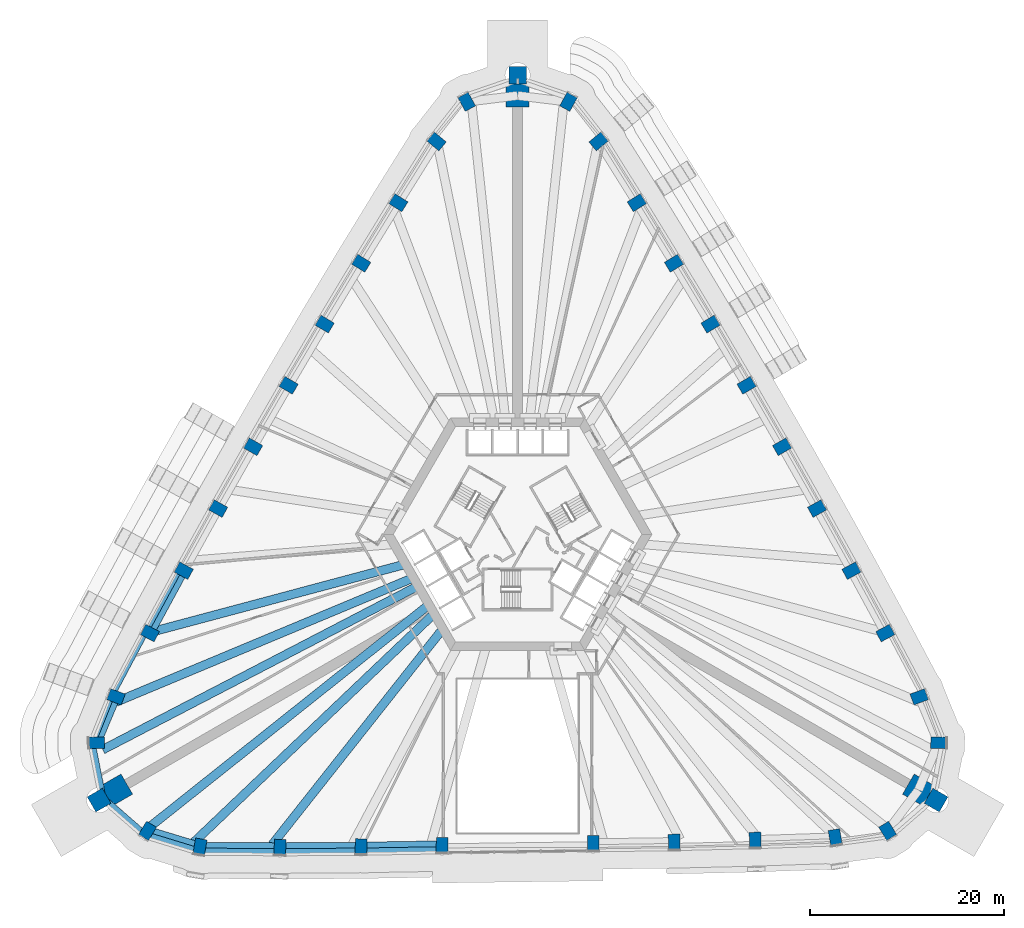
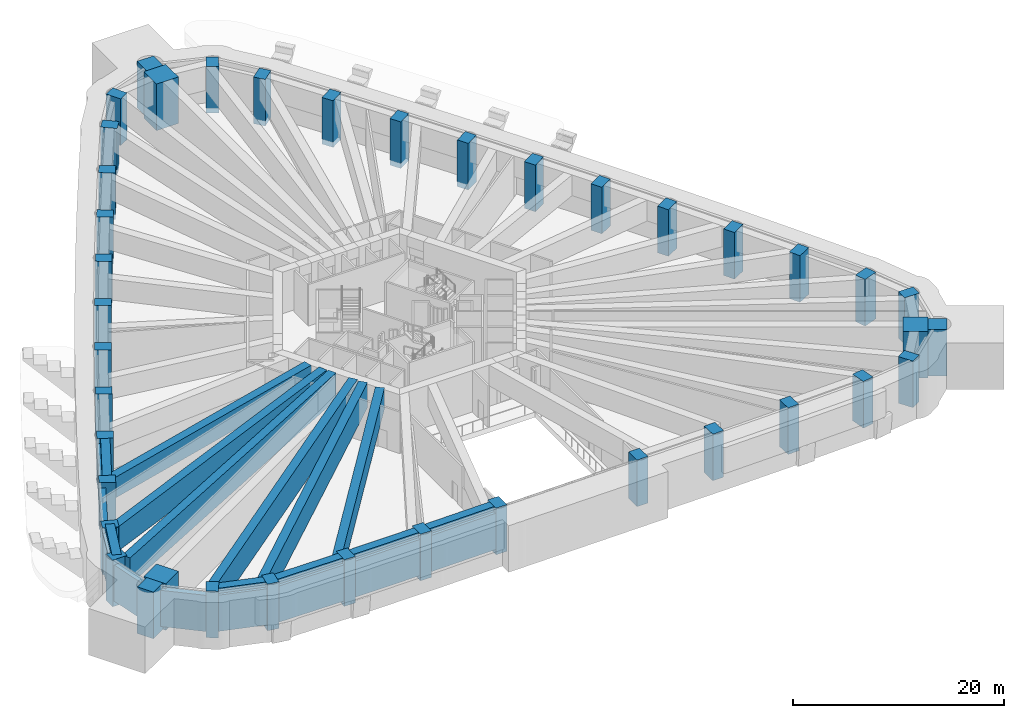
# One storey, part 1 of 21: 40 columns, 12 beams, 9 members.
"""IFC4 building model written with IfcOpenShell, lengths in metres."""

from ifc_helpers import new_model, si_unit, direction, frame, origin, origin_2d, place, context, subcontext, project, spatial, rectangle, extrude, material, material_profile, profile_set, type_object, element, save


model = new_model("IFC4")

# Units and contexts
model_context = context("Model", 3, precision=1e-05, world=origin(), true_north=direction((0.0, 1.0)))
body_context = subcontext(model_context, "Body", "Model", "MODEL_VIEW")
ifc_project = project(units=[si_unit("LENGTHUNIT", "METRE"), si_unit("AREAUNIT", "SQUARE_METRE"), si_unit("VOLUMEUNIT", "CUBIC_METRE"), si_unit("PLANEANGLEUNIT", "RADIAN"), si_unit("MASSUNIT", "GRAM", prefix="KILO")], contexts=[model_context])

# Site, building, storey
site_placement = place(None, origin())
site = spatial("IfcSite", under=ifc_project, at=site_placement, CompositionType="ELEMENT")
building_placement = place(site_placement, origin())
building = spatial("IfcBuilding", under=site, at=building_placement, Name="Entoto Arch Interchange Tower", CompositionType="ELEMENT")
storey_placement = place(building_placement, frame((0.0, 0.0, 81.199951171875)))
storey = spatial("IfcBuildingStorey", under=building, at=storey_placement, Name="L17", CompositionType="ELEMENT", Elevation=81.199951171875)

# Columns
ifc_material_1 = material(Name="Concrete C60/75", Category="concrete")
ifc_material_profile_1 = material_profile(ifc_material_1, rectangle(XDim=1.199951171875, YDim=1.60009765625, at=origin_2d()))
ifc_profile_set_1 = profile_set([ifc_material_profile_1], Name="Concrete C60/75")
column_type_1 = type_object("IfcColumnType", Name="Column RC 1200x1600 C60/75", PredefinedType="COLUMN", material=ifc_profile_set_1)
for number, where, z_axis, x_axis, name in (
    (1, (-32.760986328125, -29.72802734375, -0.599853515625), (0.0, 0.0, 1.0), (-0.98600476771, 0.166717119856, 0.0), "Column S01 L17"),
    (2, (-24.510009765625, -29.780029296875, -0.599853515625), (0.0, 0.0, 1.0), (-0.999434480961, 0.033626154508, 0.0), "Column S02 L17"),
    (3, (-16.14990234375, -29.718994140625, -0.599853515625), (0.0, 0.0, 1.0), (-0.99975435134, 0.022163866481, 0.0), "Column S03 L17"),
    (4, (-7.79296875, -29.572998046875, -0.599853515625), (0.0, 0.0, 1.0), (-0.999966355195, 0.008202955488, 0.0), "Column S04 L17"),
    (5, (7.79296875, -29.363037109375, -0.599853515625), (0.0, 0.0, 1.0), (0.999966355195, 0.008202955488, 0.0), "Column S05 L17"),
    (6, (16.14990234375, -29.242919921875, -0.599853515625), (0.0, 0.0, 1.0), (0.99975435134, 0.022163866481, 0.0), "Column S06 L17"),
    (7, (24.510009765625, -29.0380859375, -0.599853515625), (0.0, 0.0, 1.0), (0.999434480961, 0.033626154508, 0.0), "Column S07 L17"),
    (8, (32.760986328125, -28.760009765625, -0.599853515625), (0.0, 0.0, 1.0), (0.98600476771, 0.166717119856, 0.0), "Column S08 L17"),
    (9, (38.177001953125, -28.09912109375, -0.599853515625), (0.0, 0.0, 1.0), (0.854522294989, 0.519414716163, 0.0), "Column SE1 L17"),
    (10, (43.422119140625, -19.013916015625, -0.599853515625), (0.0, 0.0, 1.0), (0.022565191802, 0.999745373642, 0.0), "Column SE3 L17"),
    (11, (41.43505859375, -14.27294921875, -0.599853515625), (0.0, 0.0, 1.0), (-0.348277574304, 0.937391450375, 0.0), "Column NE01 L17"),
    (12, (37.93408203125, -7.697021484375, -0.599853515625), (0.0, 0.0, 1.0), (-0.46931745221, 0.883029517656, 0.0), "Column NE02 L17"),
    (13, (34.44189453125, -1.258056640625, -0.599853515625), (0.0, 0.0, 1.0), (-0.478140110514, 0.878283573066, 0.0), "Column NE03 L17"),
    (14, (30.89208984375, 5.14794921875, -0.599853515625), (0.0, 0.0, 1.0), (-0.486914781103, 0.873449481048, 0.0), "Column NE04 L17"),
    (15, (27.284912109375, 11.52392578125, -0.599853515625), (0.0, 0.0, 1.0), (-0.495655741916, 0.868519076074, 0.0), "Column NE05 L17"),
    (16, (23.623046875, 17.866943359375, -0.599853515625), (0.0, 0.0, 1.0), (-0.504331712594, 0.863510002068, 0.0), "Column NE06 L17"),
    (17, (19.904052734375, 24.178955078125, -0.599853515625), (0.0, 0.0, 1.0), (-0.512972048958, 0.858405310438, 0.0), "Column NE07 L17"),
    (18, (16.1298828125, 30.45703125, -0.599853515625), (0.0, 0.0, 1.0), (-0.521545830745, 0.853223268806, 0.0), "Column NE08 L17"),
    (19, (12.301025390625, 36.701904296875, -0.599853515625), (0.0, 0.0, 1.0), (-0.530067268476, 0.847955594881, 0.0), "Column NE09 L17"),
    (20, (8.35693359375, 43.02001953125, -0.599853515625), (0.0, 0.0, 1.0), (-0.637666022163, 0.770312952103, 0.0), "Column NE10 L17"),
    (21, (5.24609375, 47.112060546875, -0.599853515625), (0.0, 0.0, 1.0), (-0.877079103306, 0.48034596547, 0.0), "Column N1 L17"),
    (22, (-5.24609375, 47.112060546875, -0.599853515625), (0.0, 0.0, 1.0), (0.877079103306, 0.48034596547, 0.0), "Column N3 L17"),
    (23, (-8.35693359375, 43.02001953125, -0.599853515625), (0.0, 0.0, 1.0), (0.637666022163, 0.770312952103, 0.0), "Column NW01 L17"),
    (24, (-12.301025390625, 36.701904296875, -0.599853515625), (0.0, 0.0, 1.0), (0.530067268476, 0.847955594881, 0.0), "Column NW02 L17"),
    (25, (-16.1298828125, 30.45703125, -0.599853515625), (0.0, 0.0, 1.0), (0.521545830745, 0.853223268806, 0.0), "Column NW03 L17"),
    (26, (-19.904052734375, 24.178955078125, -0.599853515625), (0.0, 0.0, 1.0), (0.512972048958, 0.858405310438, 0.0), "Column NW04 L17"),
    (27, (-23.623046875, 17.866943359375, -0.599853515625), (0.0, 0.0, 1.0), (0.504331712594, 0.863510002068, 0.0), "Column NW05 L17"),
    (28, (-27.284912109375, 11.52392578125, -0.599853515625), (0.0, 0.0, 1.0), (0.495655741916, 0.868519076074, 0.0), "Column NW06 L17"),
    (29, (-30.89208984375, 5.14794921875, -0.599853515625), (0.0, 0.0, 1.0), (0.486914781103, 0.873449481048, 0.0), "Column NW07 L17"),
    (30, (-34.44189453125, -1.258056640625, -0.599853515625), (0.0, 0.0, 1.0), (0.478140110514, 0.878283573066, 0.0), "Column NW08 L17"),
    (31, (-37.93408203125, -7.697021484375, -0.599853515625), (0.0, 0.0, 1.0), (0.46931745221, 0.883029517656, 0.0), "Column NW09 L17"),
    (32, (-41.43505859375, -14.27294921875, -0.599853515625), (0.0, 0.0, 1.0), (0.348277574304, 0.937391450375, 0.0), "Column NW10 L17"),
    (33, (-43.422119140625, -19.013916015625, -0.599853515625), (0.0, 0.0, 1.0), (-0.022565191802, 0.999745373642, 0.0), "Column SW1 L17"),
    (34, (-38.177001953125, -28.09912109375, -0.599853515625), (0.0, 0.0, 1.0), (-0.854522294989, 0.519414716163, 0.0), "Column SW3 L17"),
):
    element("IfcColumn", number, at=place(storey_placement, frame(where, z_axis=z_axis, x_axis=x_axis)), inside=storey, type_object=column_type_1, Name=name, PredefinedType="COLUMN", context=body_context, shape_type="SweptSolid", body=[
        extrude(rectangle(XDim=1.199951171875, YDim=1.60009765625, at=origin_2d()), origin(), (0.0, 0.0, 1.0), 5.39990234375),
    ])
ifc_material_2 = material(Name="Precast concrete C40/50", Category="concrete")
ifc_material_profile_2 = material_profile(ifc_material_2, rectangle(XDim=1.800048828125, YDim=1.800048828125, at=origin_2d()))
ifc_profile_set_2 = profile_set([ifc_material_profile_2], Name="Precast concrete C40/50")
column_type_2 = type_object("IfcColumnType", Name="Frame post RC 1800x1800 precast C40/50", PredefinedType="COLUMN", material=ifc_profile_set_2)
for number, where, z_axis, x_axis, name in (
    (35, (43.173095703125, -24.926025390625, -0.599853515625), (0.0, 0.0, 1.0), (-0.866025403784, 0.5, 0.0), "Frame post SE L17"),
    (36, (0.0, 49.85205078125, -0.599853515625), (0.0, 0.0, 1.0), (0.0, 1.0, 0.0), "Frame post N L17"),
    (37, (-43.173095703125, -24.926025390625, -0.599853515625), (0.0, 0.0, 1.0), (0.866025403784, 0.5, 0.0), "Frame post SW L17"),
):
    element("IfcColumn", number, at=place(storey_placement, frame(where, z_axis=z_axis, x_axis=x_axis)), inside=storey, type_object=column_type_2, Name=name, PredefinedType="COLUMN", context=body_context, shape_type="SweptSolid", body=[
        extrude(rectangle(XDim=1.800048828125, YDim=1.800048828125, at=origin_2d()), origin(), (0.0, 0.0, 1.0), 5.39990234375),
    ])
ifc_material_profile_3 = material_profile(ifc_material_1, rectangle(XDim=2.39990234375, YDim=2.39990234375, at=origin_2d()))
ifc_profile_set_3 = profile_set([ifc_material_profile_3], Name="Concrete C60/75")
column_type_3 = type_object("IfcColumnType", Name="Mega column RC 2400x2400 C60/75", PredefinedType="COLUMN", material=ifc_profile_set_3)
for number, where, z_axis, x_axis, name in (
    (38, (41.35400390625, -23.8759765625, -0.599853515625), (0.0, 0.0, 1.0), (-0.866025403784, 0.5, 0.0), "Corner mega column SE2 L17"),
    (39, (0.0, 47.751953125, -0.599853515625), (0.0, 0.0, 1.0), (0.0, 1.0, 0.0), "Corner mega column N2 L17"),
    (40, (-41.35400390625, -23.8759765625, -0.599853515625), (0.0, 0.0, 1.0), (0.866025403784, 0.5, 0.0), "Corner mega column SW2 L17"),
):
    element("IfcColumn", number, at=place(storey_placement, frame(where, z_axis=z_axis, x_axis=x_axis)), inside=storey, type_object=column_type_3, Name=name, PredefinedType="COLUMN", context=body_context, shape_type="SweptSolid", body=[
        extrude(rectangle(XDim=2.39990234375, YDim=2.39990234375, at=origin_2d()), origin(), (0.0, 0.0, 1.0), 5.39990234375),
    ])

# Members
ifc_material_profile_4 = material_profile(ifc_material_1, rectangle(XDim=0.60009765625, YDim=4.199951171875, at=origin_2d()))
ifc_profile_set_4 = profile_set([ifc_material_profile_4], Name="Concrete C60/75")
member_type = type_object("IfcMemberType", Name="Belt member RC 600x4200 C60/75", PredefinedType="USERDEFINED", material=ifc_profile_set_4)
member_1_placement = place(storey_placement, frame((-32.843017578125, -30.1708984375, 2.10009765625), z_axis=(0.999971225821, -0.007586008888, 0.0), x_axis=(0.007586008888, 0.999971225821, 0.0)))
element("IfcMember", 41, at=member_1_placement, inside=storey, type_object=member_type, Name="Belt beam 01 L17", ObjectType="BELT BEAM", PredefinedType="USERDEFINED", context=body_context, shape_type="SweptSolid", body=[
    extrude(rectangle(XDim=0.60009765625, YDim=4.199951171875, at=origin_2d()), origin(), (0.0, 0.0, 1.0), 8.30322265625),
])
member_2_placement = place(storey_placement, frame((-24.5400390625, -30.23388671875, 2.10009765625), z_axis=(0.99997443565, 0.007150387787, 0.0), x_axis=(-0.007150387787, 0.99997443565, 0.0)))
element("IfcMember", 42, at=member_2_placement, inside=storey, type_object=member_type, Name="Belt beam 02 L17", ObjectType="BELT BEAM", PredefinedType="USERDEFINED", context=body_context, shape_type="SweptSolid", body=[
    extrude(rectangle(XDim=0.60009765625, YDim=4.199951171875, at=origin_2d()), origin(), (0.0, 0.0, 1.0), 8.365234375),
])
member_3_placement = place(storey_placement, frame((-16.175048828125, -30.174072265625, 2.10009765625), z_axis=(0.999847842637, 0.017443955243, 0.0), x_axis=(-0.017443955243, 0.999847842637, 0.0)))
element("IfcMember", 43, at=member_3_placement, inside=storey, type_object=member_type, Name="Belt beam 03 L17", ObjectType="BELT BEAM", PredefinedType="USERDEFINED", context=body_context, shape_type="SweptSolid", body=[
    extrude(rectangle(XDim=0.60009765625, YDim=4.199951171875, at=origin_2d()), origin(), (0.0, 0.0, 1.0), 8.369384765625),
])
member_4_placement = place(storey_placement, frame((-34.842041015625, -1.0419921875, 2.10009765625), z_axis=(-0.476794883529, -0.879014584088, 0.0), x_axis=(0.879014584088, -0.476794883529, 0.0)))
element("IfcMember", 44, at=member_4_placement, inside=storey, type_object=member_type, Name="Belt beam 32 L17", ObjectType="BELT BEAM", PredefinedType="USERDEFINED", context=body_context, shape_type="SweptSolid", body=[
    extrude(rectangle(XDim=0.60009765625, YDim=4.199951171875, at=origin_2d()), origin(), (0.0, 0.0, 1.0), 7.329833984375),
])
member_5_placement = place(storey_placement, frame((-38.3369140625, -7.485107421875, 2.10009765625), z_axis=(-0.468995107212, -0.883200763933, 0.0), x_axis=(0.883200763933, -0.468995107212, 0.0)))
element("IfcMember", 45, at=member_5_placement, inside=storey, type_object=member_type, Name="Belt beam 33 L17", ObjectType="BELT BEAM", PredefinedType="USERDEFINED", context=body_context, shape_type="SweptSolid", body=[
    extrude(rectangle(XDim=0.60009765625, YDim=4.199951171875, at=origin_2d()), origin(), (0.0, 0.0, 1.0), 7.5439453125),
])
member_6_placement = place(storey_placement, frame((-41.875, -14.14794921875, 2.10009765625), z_axis=(-0.373520262099, -0.927622020977, 0.0), x_axis=(0.927622020977, -0.373520262099, 0.0)))
element("IfcMember", 46, at=member_6_placement, inside=storey, type_object=member_type, Name="Belt beam 34 L17", ObjectType="BELT BEAM", PredefinedType="USERDEFINED", context=body_context, shape_type="SweptSolid", body=[
    extrude(rectangle(XDim=0.60009765625, YDim=4.199951171875, at=origin_2d()), origin(), (0.0, 0.0, 1.0), 5.314697265625),
])
member_7_placement = place(storey_placement, frame((-43.860107421875, -19.077880859375, 2.10009765625), z_axis=(0.191508353346, -0.981490983453, 0.0), x_axis=(0.981490983453, 0.191508353346, 0.0)))
element("IfcMember", 47, at=member_7_placement, inside=storey, type_object=member_type, Name="Belt beam 35 L17", ObjectType="BELT BEAM", PredefinedType="USERDEFINED", context=body_context, shape_type="SweptSolid", body=[
    extrude(rectangle(XDim=0.60009765625, YDim=4.199951171875, at=origin_2d()), origin(), (0.0, 0.0, 1.0), 5.718994140625),
])
member_8_placement = place(storey_placement, frame((-42.764892578125, -24.69091796875, 2.10009765625), z_axis=(0.754297717908, -0.656532522239, 0.0), x_axis=(0.656532522239, 0.754297717908, 0.0)))
element("IfcMember", 48, at=member_8_placement, inside=storey, type_object=member_type, Name="Belt beam 36 L17", ObjectType="BELT BEAM", PredefinedType="USERDEFINED", context=body_context, shape_type="SweptSolid", body=[
    extrude(rectangle(XDim=0.60009765625, YDim=4.199951171875, at=origin_2d()), origin(), (0.0, 0.0, 1.0), 5.756103515625),
])
member_9_placement = place(storey_placement, frame((-38.423095703125, -28.469970703125, 2.10009765625), z_axis=(0.95654758575, -0.291576261372, 0.0), x_axis=(0.291576261372, 0.95654758575, 0.0)))
element("IfcMember", 49, at=member_9_placement, inside=storey, type_object=member_type, Name="Belt beam 37 L17", ObjectType="BELT BEAM", PredefinedType="USERDEFINED", context=body_context, shape_type="SweptSolid", body=[
    extrude(rectangle(XDim=0.60009765625, YDim=4.199951171875, at=origin_2d()), origin(), (0.0, 0.0, 1.0), 5.83349609375),
])

# Beams
ifc_material_profile_5 = material_profile(ifc_material_1, rectangle(XDim=0.89990234375, YDim=2.39990234375, at=origin_2d()))
ifc_profile_set_5 = profile_set([ifc_material_profile_5], Name="Concrete C60/75")
beam_type_1 = type_object("IfcBeamType", Name="Transfer beam RC 900x2400 C60/75", PredefinedType="BEAM", material=ifc_profile_set_5)
beam_1_placement = place(storey_placement, frame((-7.916015625, -7.510986328125, 3.60009765625), z_axis=(-0.620261708959, -0.784394933945, 0.0), x_axis=(0.784394933945, -0.620261708959, 0.0)))
element("IfcBeam", 50, at=beam_1_placement, inside=storey, type_object=beam_type_1, Name="Transfer beam S02 L17", PredefinedType="BEAM", context=body_context, shape_type="SweptSolid", body=[
    extrude(rectangle(XDim=0.89990234375, YDim=2.39990234375, at=origin_2d()), origin(), (0.0, 0.0, 1.0), 28.08154296875),
])
beam_2_placement = place(storey_placement, frame((-32.760986328125, -29.72802734375, 3.60009765625), z_axis=(0.999980139706, -0.006302395838, 0.0), x_axis=(0.006302395838, 0.999980139706, 0.0)))
element("IfcBeam", 51, at=beam_2_placement, inside=storey, type_object=beam_type_1, Name="Transfer girder S02 L17", PredefinedType="BEAM", context=body_context, shape_type="SweptSolid", body=[
    extrude(rectangle(XDim=0.89990234375, YDim=2.39990234375, at=origin_2d()), origin(), (0.0, 0.0, 1.0), 8.251220703125),
])
beam_3_placement = place(storey_placement, frame((-24.510009765625, -29.780029296875, 3.60009765625), z_axis=(0.999973350501, 0.007300567638, 0.0), x_axis=(-0.007300567638, 0.999973350501, 0.0)))
element("IfcBeam", 52, at=beam_3_placement, inside=storey, type_object=beam_type_1, Name="Transfer girder S03 L17", PredefinedType="BEAM", context=body_context, shape_type="SweptSolid", body=[
    extrude(rectangle(XDim=0.89990234375, YDim=2.39990234375, at=origin_2d()), origin(), (0.0, 0.0, 1.0), 8.3603515625),
])
beam_4_placement = place(storey_placement, frame((-16.14990234375, -29.718994140625, 3.60009765625), z_axis=(0.999847433502, 0.017467390162, 0.0), x_axis=(-0.017467390162, 0.999847433502, 0.0)))
element("IfcBeam", 53, at=beam_4_placement, inside=storey, type_object=beam_type_1, Name="Transfer girder S04 L17", PredefinedType="BEAM", context=body_context, shape_type="SweptSolid", body=[
    extrude(rectangle(XDim=0.89990234375, YDim=2.39990234375, at=origin_2d()), origin(), (0.0, 0.0, 1.0), 8.358154296875),
])
beam_5_placement = place(storey_placement, frame((-11.861083984375, -0.666015625, 3.60009765625), z_axis=(-0.966190353517, -0.257829790309, 0.0), x_axis=(0.257829790309, -0.966190353517, 0.0)))
element("IfcBeam", 54, at=beam_5_placement, inside=storey, type_object=beam_type_1, Name="Transfer beam NW08 L17", PredefinedType="BEAM", context=body_context, shape_type="SweptSolid", body=[
    extrude(rectangle(XDim=0.89990234375, YDim=2.39990234375, at=origin_2d()), origin(), (0.0, 0.0, 1.0), 26.637451171875),
])
beam_6_placement = place(storey_placement, frame((-34.44189453125, -1.258056640625, 3.60009765625), z_axis=(-0.476749072146, -0.879039431543, 0.0), x_axis=(0.879039431543, -0.476749072146, 0.0)))
element("IfcBeam", 55, at=beam_6_placement, inside=storey, type_object=beam_type_1, Name="Transfer girder NW08 L17", PredefinedType="BEAM", context=body_context, shape_type="SweptSolid", body=[
    extrude(rectangle(XDim=0.89990234375, YDim=2.39990234375, at=origin_2d()), origin(), (0.0, 0.0, 1.0), 7.324951171875),
])
ifc_material_profile_6 = material_profile(ifc_material_1, rectangle(XDim=0.89990234375, YDim=2.800048828125, at=origin_2d()))
ifc_profile_set_6 = profile_set([ifc_material_profile_6], Name="Concrete C60/75")
beam_type_2 = type_object("IfcBeamType", Name="Transfer beam RC 900x2800 C60/75", PredefinedType="BEAM", material=ifc_profile_set_6)
beam_7_placement = place(storey_placement, frame((-11.02587890625, -2.10498046875, 3.400146484375), z_axis=(-0.922758938065, -0.385377661808, 0.0), x_axis=(0.385377661808, -0.922758938065, 0.0)))
element("IfcBeam", 56, at=beam_7_placement, inside=storey, type_object=beam_type_2, Name="Transfer beam NW09 L17", PredefinedType="BEAM", context=body_context, shape_type="SweptSolid", body=[
    extrude(rectangle(XDim=0.89990234375, YDim=2.800048828125, at=origin_2d()), origin(), (0.0, 0.0, 1.0), 32.947021484375),
])
beam_8_placement = place(storey_placement, frame((-41.43505859375, -14.27294921875, 3.400146484375), z_axis=(-0.386546867344, -0.922269764953, 0.0), x_axis=(0.922269764953, -0.386546867344, 0.0)))
element("IfcBeam", 57, at=beam_8_placement, inside=storey, type_object=beam_type_2, Name="Transfer girder NW09 L17", PredefinedType="BEAM", context=body_context, shape_type="SweptSolid", body=[
    extrude(rectangle(XDim=0.89990234375, YDim=2.800048828125, at=origin_2d()), origin(), (0.0, 0.0, 1.0), 5.140625),
])
ifc_material_profile_7 = material_profile(ifc_material_1, rectangle(XDim=0.89990234375, YDim=2.89990234375, at=origin_2d()))
ifc_profile_set_7 = profile_set([ifc_material_profile_7], Name="Concrete C60/75")
beam_type_3 = type_object("IfcBeamType", Name="Transfer beam RC 900x2900 C60/75", PredefinedType="BEAM", material=ifc_profile_set_7)
beam_9_placement = place(storey_placement, frame((-8.8349609375, -5.905029296875, 3.35009765625), z_axis=(-0.72451691281, -0.68925702249, 0.0), x_axis=(0.68925702249, -0.72451691281, 0.0)))
element("IfcBeam", 58, at=beam_9_placement, inside=storey, type_object=beam_type_3, Name="Transfer beam S01 L17", PredefinedType="BEAM", context=body_context, shape_type="SweptSolid", body=[
    extrude(rectangle(XDim=0.89990234375, YDim=2.89990234375, at=origin_2d()), origin(), (0.0, 0.0, 1.0), 33.89306640625),
])
beam_10_placement = place(storey_placement, frame((-38.177001953125, -28.09912109375, 3.35009765625), z_axis=(0.957626454243, -0.288013149239, 0.0), x_axis=(0.288013149239, 0.957626454243, 0.0)))
element("IfcBeam", 59, at=beam_10_placement, inside=storey, type_object=beam_type_3, Name="Transfer girder S01 L17", PredefinedType="BEAM", context=body_context, shape_type="SweptSolid", body=[
    extrude(rectangle(XDim=0.89990234375, YDim=2.89990234375, at=origin_2d()), origin(), (0.0, 0.0, 1.0), 5.65576171875),
])
ifc_material_profile_8 = material_profile(ifc_material_1, rectangle(XDim=0.89990234375, YDim=3.10009765625, at=origin_2d()))
ifc_profile_set_8 = profile_set([ifc_material_profile_8], Name="Concrete C60/75")
beam_type_4 = type_object("IfcBeamType", Name="Transfer beam RC 900x3100 C60/75", PredefinedType="BEAM", material=ifc_profile_set_8)
beam_11_placement = place(storey_placement, frame((-10.527099609375, -2.966064453125, 3.25), z_axis=(-0.887496868947, -0.460813745032, 0.0), x_axis=(0.460813745032, -0.887496868947, 0.0)))
element("IfcBeam", 60, at=beam_11_placement, inside=storey, type_object=beam_type_4, Name="Transfer beam SW1 L17", PredefinedType="BEAM", context=body_context, shape_type="SweptSolid", body=[
    extrude(rectangle(XDim=0.89990234375, YDim=3.10009765625, at=origin_2d()), origin(), (0.0, 0.0, 1.0), 36.359375),
])
beam_12_placement = place(storey_placement, frame((-9.3779296875, -4.9599609375, 3.25), z_axis=(-0.782578254952, -0.622552226626, 0.0), x_axis=(0.622552226626, -0.782578254952, 0.0)))
element("IfcBeam", 61, at=beam_12_placement, inside=storey, type_object=beam_type_4, Name="Transfer beam SW3 L17", PredefinedType="BEAM", context=body_context, shape_type="SweptSolid", body=[
    extrude(rectangle(XDim=0.89990234375, YDim=3.10009765625, at=origin_2d()), origin(), (0.0, 0.0, 1.0), 36.637939453125),
])

save(model, "model.ifc")
